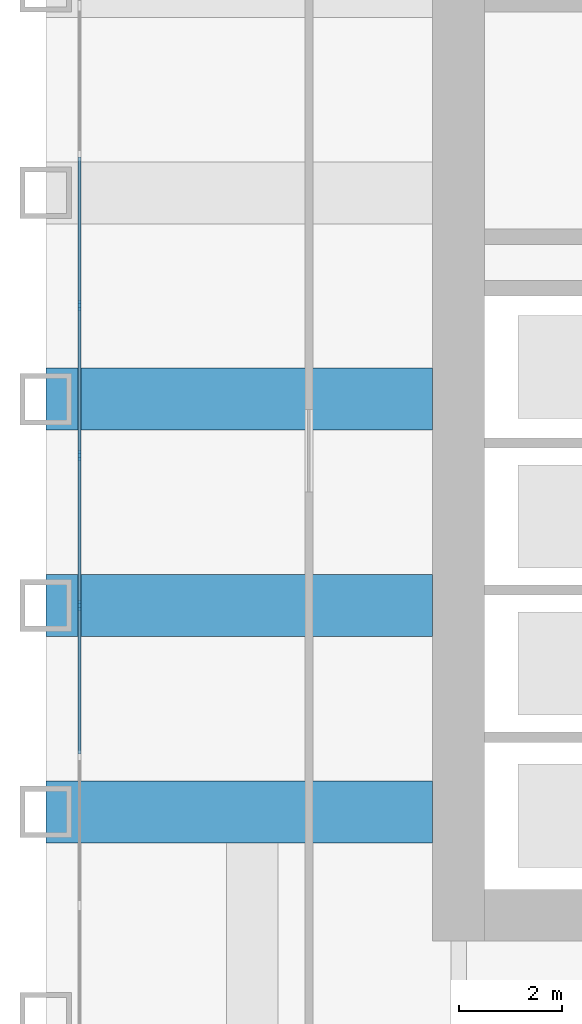
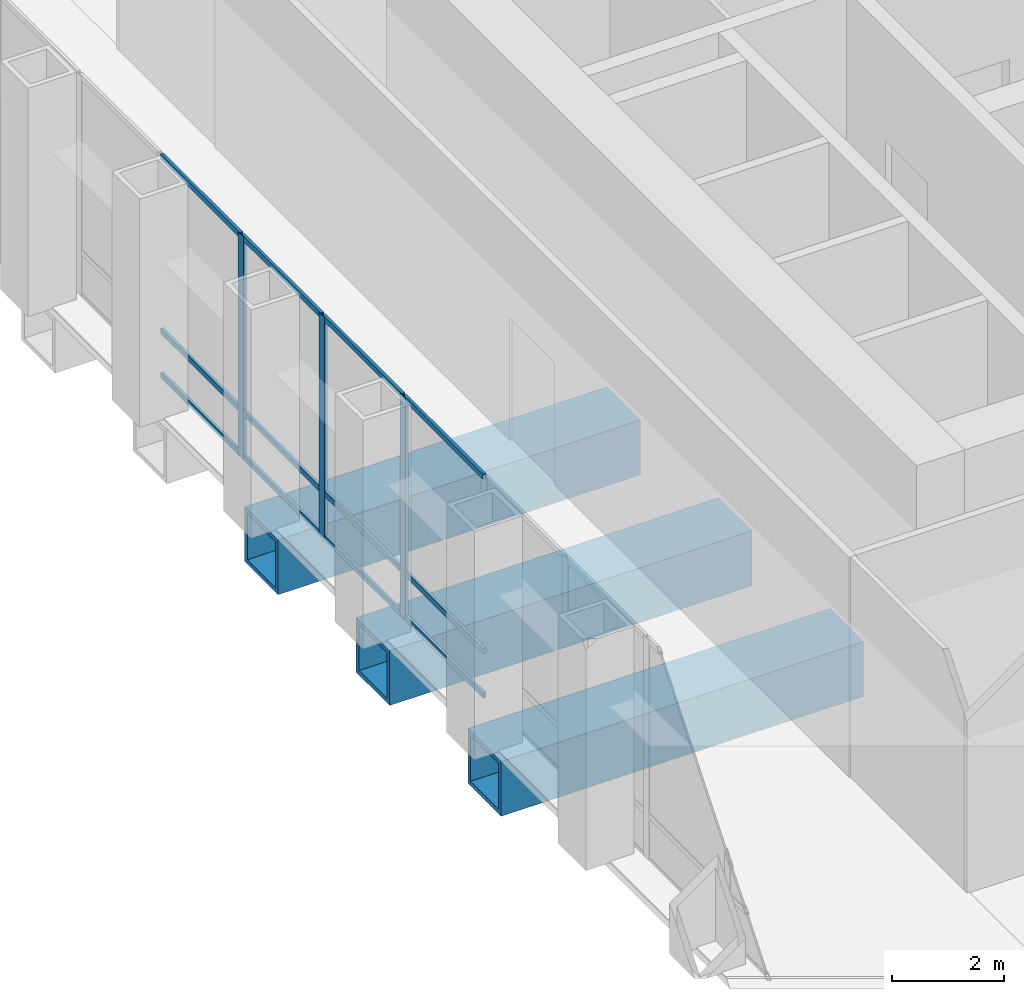
# One storey, part 4 of 16: 15 members, 3 beams, 1 element without a shape of its own.
"""IFC4 building model written with IfcOpenShell, lengths in metres."""

from ifc_helpers import new_model, si_unit, direction, frame, origin, origin_2d, place, context, subcontext, project, spatial, rectangle, hollow_rectangle, extrude, material, material_profile, profile_set, type_object, element, aggregate, save


model = new_model("IFC4")

# Units and contexts
model_context = context("Model", 3, precision=1e-05, world=origin(), true_north=direction((0.0, 1.0)))
body_context = subcontext(model_context, "Body", "Model", "MODEL_VIEW")
ifc_project = project(units=[si_unit("LENGTHUNIT", "METRE"), si_unit("AREAUNIT", "SQUARE_METRE"), si_unit("VOLUMEUNIT", "CUBIC_METRE"), si_unit("PLANEANGLEUNIT", "RADIAN"), si_unit("MASSUNIT", "GRAM", prefix="KILO")], contexts=[model_context])

# Site, building, storey
site_placement = place(None, origin())
site = spatial("IfcSite", under=ifc_project, at=site_placement, CompositionType="ELEMENT")
building_placement = place(site_placement, origin())
building = spatial("IfcBuilding", under=site, at=building_placement, Name="Rimbunsela Tower", CompositionType="ELEMENT")
storey_placement = place(building_placement, frame((0.0, 0.0, 76.39990234375)))
storey = spatial("IfcBuildingStorey", under=building, at=storey_placement, Name="L18", CompositionType="ELEMENT", Elevation=76.39990234375)

# Beams
ifc_material_1 = material(Name="Steel BJ 55 (fy 410 MPa)", Category="steel")
ifc_material_profile_1 = material_profile(ifc_material_1, hollow_rectangle(XDim=1.199951171875, YDim=1.199951171875, WallThickness=0.10009765625, at=origin_2d()), Name="BOX 1200x1200x100")
ifc_profile_set_1 = profile_set([ifc_material_profile_1], Name="Steel BJ 55 (fy 410 MPa)")
beam_type = type_object("IfcBeamType", Name="Beam BOX 1200x1200x100", PredefinedType="BEAM", material=ifc_profile_set_1)
for number, where, z_axis, x_axis, name in (
    (1, (10.0, 20.0, -0.75), (1.0, 0.0, 0.0), (0.0, 1.0, 0.0), "Beam B5 L18"),
    (2, (10.0, 24.0, -0.75), (1.0, 0.0, 0.0), (0.0, 1.0, 0.0), "Beam B5 L18"),
    (3, (10.0, 28.0, -0.75), (1.0, 0.0, 0.0), (0.0, 1.0, 0.0), "Beam B5 L18"),
):
    element("IfcBeam", number, at=place(storey_placement, frame(where, z_axis=z_axis, x_axis=x_axis)), inside=storey, type_object=beam_type, Name=name, PredefinedType="BEAM", context=body_context, shape_type="SweptSolid", body=[
        extrude(hollow_rectangle(XDim=1.199951171875, YDim=1.199951171875, WallThickness=0.10009765625, at=origin_2d()), origin(), (0.0, 0.0, 1.0), 7.5),
    ])

# Curtain wall, members
ifc_material_2 = material(Name="Aluminium curtain wall", Category="aluminium")
curtain_wall_type = type_object("IfcCurtainWallType", Name="Sky lobby glazing", PredefinedType="USERDEFINED", material=ifc_material_2)
curtain_wall_placement = place(storey_placement, origin())
curtain_wall = element("IfcCurtainWall", 4, at=curtain_wall_placement, inside=storey, type_object=curtain_wall_type, Name="Sky lobby glazing L18", ObjectType="SKY LOBBY GLAZING", PredefinedType="USERDEFINED")
ifc_material_3 = material(Name="Aluminium mullion", Category="aluminium")
ifc_material_profile_2 = material_profile(ifc_material_3, rectangle(XDim=0.06005859375, YDim=0.199951171875, at=origin_2d()), Name="Mullion 60x200")
ifc_profile_set_2 = profile_set([ifc_material_profile_2], Name="Aluminium mullion")
member_type_1 = type_object("IfcMemberType", Name="Curtain wall mullion 60x200", PredefinedType="MULLION", material=ifc_profile_set_2)
member_1_placement = place(storey_placement, frame((10.64990234375, 29.814208984375, 0.0), z_axis=(0.0, 0.0, 1.0), x_axis=(1.0, 0.0, 0.0)))
member_1 = element("IfcMember", 5, at=member_1_placement, type_object=member_type_1, Name="CW4 mullion 6", PredefinedType="MULLION", context=body_context, shape_type="SweptSolid", body=[
    extrude(rectangle(XDim=0.06005859375, YDim=0.199951171875, at=origin_2d()), origin(), (0.0, 0.0, 1.0), 4.85009765625),
])
member_2_placement = place(storey_placement, frame((10.64990234375, 26.9072265625, 0.0), z_axis=(0.0, 0.0, 1.0), x_axis=(1.0, 0.0, 0.0)))
member_2 = element("IfcMember", 6, at=member_2_placement, type_object=member_type_1, Name="CW4 mullion 7", PredefinedType="MULLION", context=body_context, shape_type="SweptSolid", body=[
    extrude(rectangle(XDim=0.06005859375, YDim=0.199951171875, at=origin_2d()), origin(), (0.0, 0.0, 1.0), 4.85009765625),
])
member_3_placement = place(storey_placement, frame((10.64990234375, 24.0, 0.0), z_axis=(0.0, 0.0, 1.0), x_axis=(1.0, 0.0, 0.0)))
member_3 = element("IfcMember", 7, at=member_3_placement, type_object=member_type_1, Name="CW4 mullion 8", PredefinedType="MULLION", context=body_context, shape_type="SweptSolid", body=[
    extrude(rectangle(XDim=0.06005859375, YDim=0.199951171875, at=origin_2d()), origin(), (0.0, 0.0, 1.0), 4.85009765625),
])
ifc_material_4 = material(Name="Aluminium transom", Category="aluminium")
ifc_material_profile_3 = material_profile(ifc_material_4, rectangle(XDim=0.06005859375, YDim=0.1201171875, at=origin_2d()), Name="Transom 60x120")
ifc_profile_set_3 = profile_set([ifc_material_profile_3], Name="Aluminium transom")
member_type_2 = type_object("IfcMemberType", Name="Curtain wall transom 60x120", PredefinedType="USERDEFINED", material=ifc_profile_set_3)
member_4_placement = place(storey_placement, frame((10.64990234375, 32.69140625, 0.030029296875), z_axis=(0.0, -1.0, 0.0), x_axis=(1.0, 0.0, 0.0)))
member_4 = element("IfcMember", 8, at=member_4_placement, type_object=member_type_2, Name="CW4 transom 5.1", ObjectType="TRANSOM", PredefinedType="USERDEFINED", context=body_context, shape_type="SweptSolid", body=[
    extrude(rectangle(XDim=0.06005859375, YDim=0.1201171875, at=origin_2d()), origin(), (0.0, 0.0, 1.0), 2.84716796875),
])
member_5_placement = place(storey_placement, frame((10.64990234375, 32.69140625, 1.0), z_axis=(0.0, -1.0, 0.0), x_axis=(1.0, 0.0, 0.0)))
member_5 = element("IfcMember", 9, at=member_5_placement, type_object=member_type_2, Name="CW4 transom 5.2", ObjectType="TRANSOM", PredefinedType="USERDEFINED", context=body_context, shape_type="SweptSolid", body=[
    extrude(rectangle(XDim=0.06005859375, YDim=0.1201171875, at=origin_2d()), origin(), (0.0, 0.0, 1.0), 2.84716796875),
])
member_6_placement = place(storey_placement, frame((10.64990234375, 32.69140625, 4.820068359375), z_axis=(0.0, -1.0, 0.0), x_axis=(1.0, 0.0, 0.0)))
member_6 = element("IfcMember", 10, at=member_6_placement, type_object=member_type_2, Name="CW4 transom 5.3", ObjectType="TRANSOM", PredefinedType="USERDEFINED", context=body_context, shape_type="SweptSolid", body=[
    extrude(rectangle(XDim=0.06005859375, YDim=0.1201171875, at=origin_2d()), origin(), (0.0, 0.0, 1.0), 2.84716796875),
])
member_7_placement = place(storey_placement, frame((10.64990234375, 29.7841796875, 0.030029296875), z_axis=(0.0, -1.0, 0.0), x_axis=(1.0, 0.0, 0.0)))
member_7 = element("IfcMember", 11, at=member_7_placement, type_object=member_type_2, Name="CW4 transom 6.1", ObjectType="TRANSOM", PredefinedType="USERDEFINED", context=body_context, shape_type="SweptSolid", body=[
    extrude(rectangle(XDim=0.06005859375, YDim=0.1201171875, at=origin_2d()), origin(), (0.0, 0.0, 1.0), 2.846923828125),
])
member_8_placement = place(storey_placement, frame((10.64990234375, 29.7841796875, 1.0), z_axis=(0.0, -1.0, 0.0), x_axis=(1.0, 0.0, 0.0)))
member_8 = element("IfcMember", 12, at=member_8_placement, type_object=member_type_2, Name="CW4 transom 6.2", ObjectType="TRANSOM", PredefinedType="USERDEFINED", context=body_context, shape_type="SweptSolid", body=[
    extrude(rectangle(XDim=0.06005859375, YDim=0.1201171875, at=origin_2d()), origin(), (0.0, 0.0, 1.0), 2.846923828125),
])
member_9_placement = place(storey_placement, frame((10.64990234375, 29.7841796875, 4.820068359375), z_axis=(0.0, -1.0, 0.0), x_axis=(1.0, 0.0, 0.0)))
member_9 = element("IfcMember", 13, at=member_9_placement, type_object=member_type_2, Name="CW4 transom 6.3", ObjectType="TRANSOM", PredefinedType="USERDEFINED", context=body_context, shape_type="SweptSolid", body=[
    extrude(rectangle(XDim=0.06005859375, YDim=0.1201171875, at=origin_2d()), origin(), (0.0, 0.0, 1.0), 2.846923828125),
])
member_10_placement = place(storey_placement, frame((10.64990234375, 26.877197265625, 0.030029296875), z_axis=(0.0, -1.0, 0.0), x_axis=(1.0, 0.0, 0.0)))
member_10 = element("IfcMember", 14, at=member_10_placement, type_object=member_type_2, Name="CW4 transom 7.1", ObjectType="TRANSOM", PredefinedType="USERDEFINED", context=body_context, shape_type="SweptSolid", body=[
    extrude(rectangle(XDim=0.06005859375, YDim=0.1201171875, at=origin_2d()), origin(), (0.0, 0.0, 1.0), 2.84716796875),
])
member_11_placement = place(storey_placement, frame((10.64990234375, 26.877197265625, 1.0), z_axis=(0.0, -1.0, 0.0), x_axis=(1.0, 0.0, 0.0)))
member_11 = element("IfcMember", 15, at=member_11_placement, type_object=member_type_2, Name="CW4 transom 7.2", ObjectType="TRANSOM", PredefinedType="USERDEFINED", context=body_context, shape_type="SweptSolid", body=[
    extrude(rectangle(XDim=0.06005859375, YDim=0.1201171875, at=origin_2d()), origin(), (0.0, 0.0, 1.0), 2.84716796875),
])
member_12_placement = place(storey_placement, frame((10.64990234375, 26.877197265625, 4.820068359375), z_axis=(0.0, -1.0, 0.0), x_axis=(1.0, 0.0, 0.0)))
member_12 = element("IfcMember", 16, at=member_12_placement, type_object=member_type_2, Name="CW4 transom 7.3", ObjectType="TRANSOM", PredefinedType="USERDEFINED", context=body_context, shape_type="SweptSolid", body=[
    extrude(rectangle(XDim=0.06005859375, YDim=0.1201171875, at=origin_2d()), origin(), (0.0, 0.0, 1.0), 2.84716796875),
])
member_13_placement = place(storey_placement, frame((10.64990234375, 23.969970703125, 0.030029296875), z_axis=(0.0, -1.0, 0.0), x_axis=(1.0, 0.0, 0.0)))
member_13 = element("IfcMember", 17, at=member_13_placement, type_object=member_type_2, Name="CW4 transom 8.1", ObjectType="TRANSOM", PredefinedType="USERDEFINED", context=body_context, shape_type="SweptSolid", body=[
    extrude(rectangle(XDim=0.06005859375, YDim=0.1201171875, at=origin_2d()), origin(), (0.0, 0.0, 1.0), 2.84716796875),
])
member_14_placement = place(storey_placement, frame((10.64990234375, 23.969970703125, 1.0), z_axis=(0.0, -1.0, 0.0), x_axis=(1.0, 0.0, 0.0)))
member_14 = element("IfcMember", 18, at=member_14_placement, type_object=member_type_2, Name="CW4 transom 8.2", ObjectType="TRANSOM", PredefinedType="USERDEFINED", context=body_context, shape_type="SweptSolid", body=[
    extrude(rectangle(XDim=0.06005859375, YDim=0.1201171875, at=origin_2d()), origin(), (0.0, 0.0, 1.0), 2.84716796875),
])
member_15_placement = place(storey_placement, frame((10.64990234375, 23.969970703125, 4.820068359375), z_axis=(0.0, -1.0, 0.0), x_axis=(1.0, 0.0, 0.0)))
member_15 = element("IfcMember", 19, at=member_15_placement, type_object=member_type_2, Name="CW4 transom 8.3", ObjectType="TRANSOM", PredefinedType="USERDEFINED", context=body_context, shape_type="SweptSolid", body=[
    extrude(rectangle(XDim=0.06005859375, YDim=0.1201171875, at=origin_2d()), origin(), (0.0, 0.0, 1.0), 2.84716796875),
])
aggregate(curtain_wall, [member_1, member_2, member_3, member_4, member_5, member_6, member_7, member_8, member_9, member_10, member_11, member_12, member_13, member_14, member_15])

save(model, "model.ifc")
